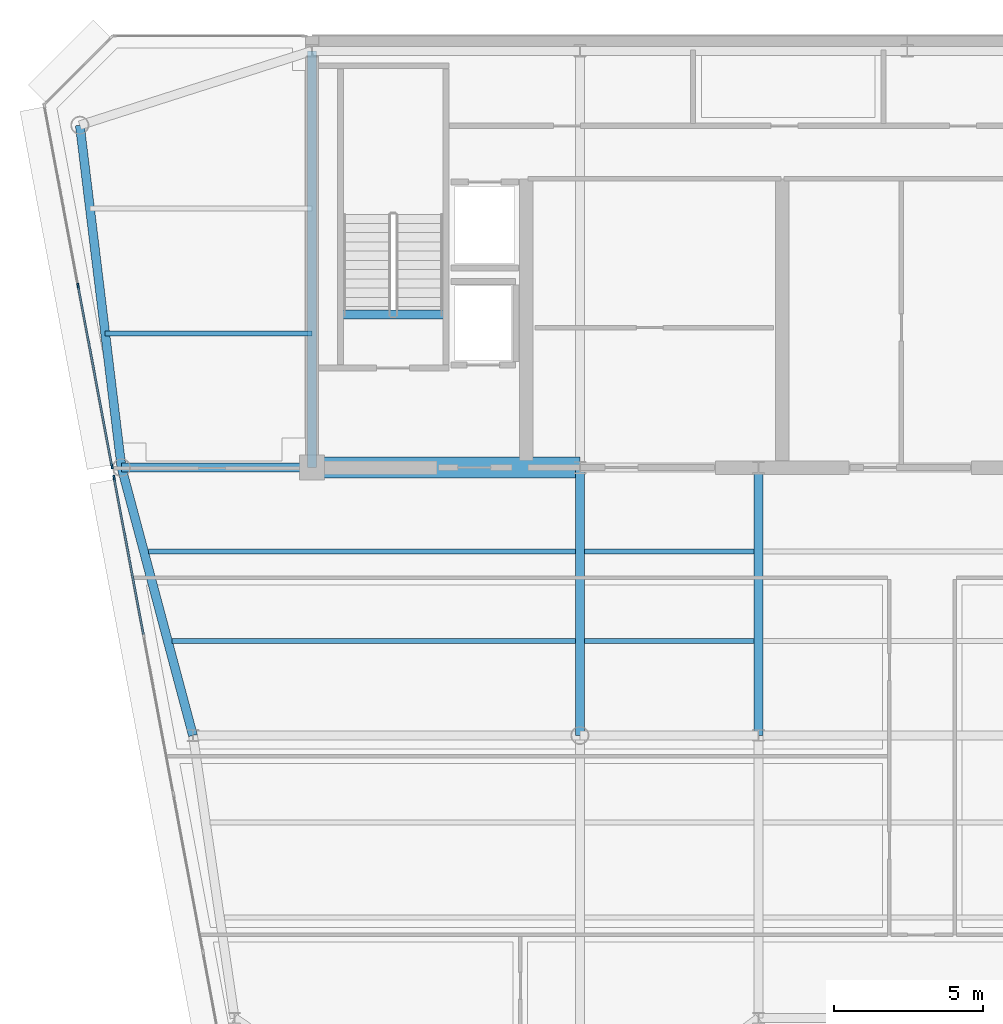
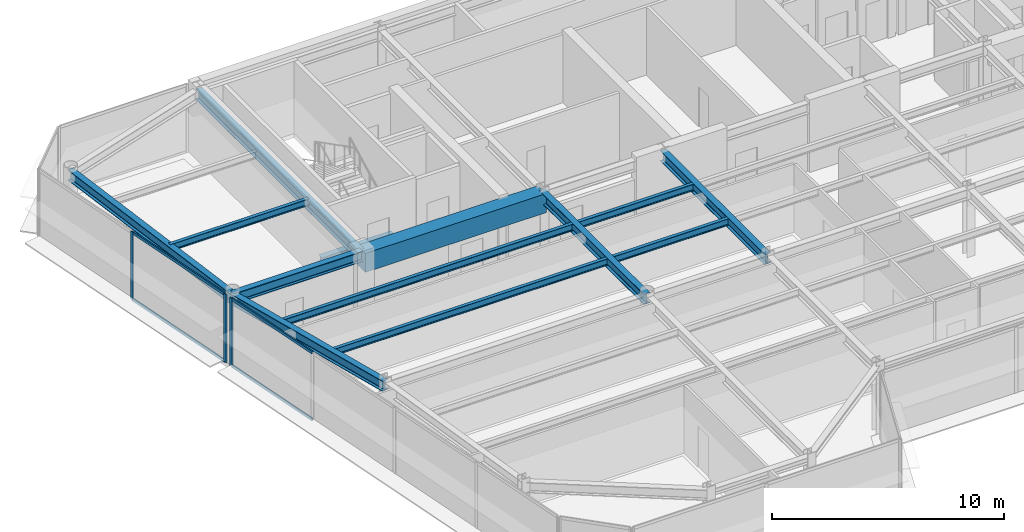
# One storey, part 4 of 19: 13 beams, 7 members, 2 elements without a shape of their own.
"""IFC4 building model written with IfcOpenShell, lengths in metres."""

from ifc_helpers import new_model, si_unit, direction, frame, origin, origin_2d, place, context, subcontext, project, spatial, rectangle, i_section, extrude, source, transform, mapped, material, layer, layer_set, material_profile, profile_set, type_object, element, aggregate, save


model = new_model("IFC4")

# Units and contexts
model_context = context("Model", 3, precision=1e-05, world=origin(), true_north=direction((0.0, 1.0)))
body_context = subcontext(model_context, "Body", "Model", "MODEL_VIEW")
ifc_project = project(units=[si_unit("LENGTHUNIT", "METRE"), si_unit("AREAUNIT", "SQUARE_METRE"), si_unit("VOLUMEUNIT", "CUBIC_METRE"), si_unit("PLANEANGLEUNIT", "RADIAN"), si_unit("MASSUNIT", "GRAM", prefix="KILO")], contexts=[model_context])

# Site, building, storey
site_placement = place(None, origin())
site = spatial("IfcSite", under=ifc_project, at=site_placement, CompositionType="ELEMENT")
building_placement = place(site_placement, origin())
building = spatial("IfcBuilding", under=site, at=building_placement, Name="Vaeldorn Concourse Tower", CompositionType="ELEMENT")
storey_placement = place(building_placement, frame((0.0, 0.0, 272.60009765625)))
storey = spatial("IfcBuildingStorey", under=building, at=storey_placement, Name="L70", CompositionType="ELEMENT", Elevation=272.60009765625)

# Beams
ifc_material_1 = material(Name="Concrete C50/60", Category="concrete")
ifc_material_profile_1 = material_profile(ifc_material_1, rectangle(XDim=0.699951171875, YDim=1.0, at=origin_2d()), Name="RC 700x1000")
ifc_profile_set_1 = profile_set([ifc_material_profile_1], Name="Concrete C50/60")
beam_type_1 = type_object("IfcBeamType", Name="BM-CB-RC700", PredefinedType="BEAM", material=ifc_profile_set_1)
shared_shape_1 = source(origin(), body_context, "Body", "SweptSolid", [
    extrude(rectangle(XDim=0.699951171875, YDim=1.0, at=origin_2d()), origin(), (0.0, 0.0, 1.0), 9.0),
])
beam_1_placement = place(storey_placement, frame((14.0, 36.5, 3.079833984375), z_axis=(1.0, 0.0, 0.0), x_axis=(0.0, 1.0, 0.0)))
element("IfcBeam", 1, at=beam_1_placement, inside=storey, type_object=beam_type_1, Name="Core Coupling Beam L70-1", PredefinedType="BEAM", context=body_context, shape_type="MappedRepresentation", body=[
    mapped(shared_shape_1, transform((0.0, 0.0, 0.0), scale=1.0)),
])
ifc_material_2 = material(Name="Steel S355", Category="steel")
ifc_material_profile_2 = material_profile(ifc_material_2, i_section(OverallWidth=0.300048828125, OverallDepth=0.340087890625, WebThickness=0.011962890625, FlangeThickness=0.021484375, FilletRadius=0.027099609375, at=origin_2d()), Name="HEB 340")
ifc_profile_set_2 = profile_set([ifc_material_profile_2], Name="Steel S355")
beam_type_2 = type_object("IfcBeamType", Name="BM-ST-TRIM", PredefinedType="BEAM", material=ifc_profile_set_2)
shared_shape_2 = source(origin(), body_context, "Body", "SweptSolid", [
    extrude(i_section(OverallWidth=0.300048828125, OverallDepth=0.340087890625, WebThickness=0.011962890625, FlangeThickness=0.021484375, FilletRadius=0.027099609375, at=origin_2d()), origin(), (0.0, 0.0, 1.0), 3.590087890625),
])
beam_2_placement = place(storey_placement, frame((14.929931640625, 41.639892578125, -0.39013671875), z_axis=(1.0, 0.0, 0.0), x_axis=(0.0, 1.0, 0.0)))
element("IfcBeam", 2, at=beam_2_placement, inside=storey, type_object=beam_type_2, Name="Stair Landing Trimmer Beam ST-1 L70", PredefinedType="BEAM", context=body_context, shape_type="MappedRepresentation", body=[
    mapped(shared_shape_2, transform((0.0, 0.0, 0.0), scale=1.0)),
])
ifc_material_profile_3 = material_profile(ifc_material_2, i_section(OverallWidth=0.300048828125, OverallDepth=0.550048828125, WebThickness=0.014892578125, FlangeThickness=0.029052734375, FilletRadius=0.027099609375, at=origin_2d()), Name="HEB 550")
ifc_profile_set_3 = profile_set([ifc_material_profile_3], Name="Steel S355")
beam_type_3 = type_object("IfcBeamType", Name="BM-PG-HEB550", PredefinedType="BEAM", material=ifc_profile_set_3)
shared_shape_3 = source(origin(), body_context, "Body", "SweptSolid", [
    extrude(i_section(OverallWidth=0.300048828125, OverallDepth=0.550048828125, WebThickness=0.014892578125, FlangeThickness=0.029052734375, FilletRadius=0.027099609375, at=origin_2d()), origin(), (0.0, 0.0, 1.0), 9.0),
])
for number, where, z_axis, x_axis, name in (
    (3, (23.0, 27.5, 3.304931640625), (0.0, 1.0, 0.0), (-1.0, 0.0, 0.0), "Beam BM-L70-C-TW1-C-FC2"),
    (4, (29.0, 27.5, 3.304931640625), (0.0, 1.0, 0.0), (-1.0, 0.0, 0.0), "Beam BM-L70-C-TW2-C-FC3"),
):
    element("IfcBeam", number, at=place(storey_placement, frame(where, z_axis=z_axis, x_axis=x_axis)), inside=storey, type_object=beam_type_3, Name=name, PredefinedType="BEAM", context=body_context, shape_type="MappedRepresentation", body=[
        mapped(shared_shape_3, transform((0.0, 0.0, 0.0), scale=1.0)),
    ])
shared_shape_4 = source(origin(), body_context, "Body", "SweptSolid", [
    extrude(i_section(OverallWidth=0.300048828125, OverallDepth=0.550048828125, WebThickness=0.014892578125, FlangeThickness=0.029052734375, FilletRadius=0.027099609375, at=origin_2d()), origin(), (0.0, 0.0, 1.0), 14.0),
])
beam_3_placement = place(storey_placement, frame((14.0, 36.5, 3.304931640625), z_axis=(0.0, 1.0, 0.0), x_axis=(-1.0, 0.0, 0.0)))
element("IfcBeam", 5, at=beam_3_placement, inside=storey, type_object=beam_type_3, Name="Beam BM-L70-C-FC1-C-HC1", PredefinedType="BEAM", context=body_context, shape_type="MappedRepresentation", body=[
    mapped(shared_shape_4, transform((0.0, 0.0, 0.0), scale=1.0)),
])
shared_shape_5 = source(origin(), body_context, "Body", "SweptSolid", [
    extrude(i_section(OverallWidth=0.300048828125, OverallDepth=0.550048828125, WebThickness=0.014892578125, FlangeThickness=0.029052734375, FilletRadius=0.027099609375, at=origin_2d()), origin(), (0.0, 0.0, 1.0), 11.5849609375),
])
beam_4_placement = place(storey_placement, frame((6.199951171875, 48.0, 3.304931640625), z_axis=(0.120859382899, -0.992669637677, 0.0), x_axis=(0.992669637677, 0.120859382899, 0.0)))
element("IfcBeam", 6, at=beam_4_placement, inside=storey, type_object=beam_type_3, Name="Beam BM-L70-C-NW1-C-NW2", PredefinedType="BEAM", context=body_context, shape_type="MappedRepresentation", body=[
    mapped(shared_shape_5, transform((0.0, 0.0, 0.0), scale=1.0)),
])
shared_shape_6 = source(origin(), body_context, "Body", "SweptSolid", [
    extrude(i_section(OverallWidth=0.300048828125, OverallDepth=0.550048828125, WebThickness=0.014892578125, FlangeThickness=0.029052734375, FilletRadius=0.027099609375, at=origin_2d()), origin(), (0.0, 0.0, 1.0), 6.39990234375),
])
beam_5_placement = place(storey_placement, frame((7.60009765625, 36.5, 3.304931640625), z_axis=(1.0, 0.0, 0.0), x_axis=(0.0, 1.0, 0.0)))
element("IfcBeam", 7, at=beam_5_placement, inside=storey, type_object=beam_type_3, Name="Beam BM-L70-C-NW2-C-FC1", PredefinedType="BEAM", context=body_context, shape_type="MappedRepresentation", body=[
    mapped(shared_shape_6, transform((0.0, 0.0, 0.0), scale=1.0)),
])
shared_shape_7 = source(origin(), body_context, "Body", "SweptSolid", [
    extrude(i_section(OverallWidth=0.300048828125, OverallDepth=0.550048828125, WebThickness=0.014892578125, FlangeThickness=0.029052734375, FilletRadius=0.027099609375, at=origin_2d()), origin(), (0.0, 0.0, 1.0), 9.314453125),
])
beam_6_placement = place(storey_placement, frame((7.60009765625, 36.5, 3.304931640625), z_axis=(0.257652862255, -0.966237549763, 0.0), x_axis=(0.966237549763, 0.257652862255, 0.0)))
element("IfcBeam", 8, at=beam_6_placement, inside=storey, type_object=beam_type_3, Name="Beam BM-L70-C-NW2-C-FLW1", PredefinedType="BEAM", context=body_context, shape_type="MappedRepresentation", body=[
    mapped(shared_shape_7, transform((0.0, 0.0, 0.0), scale=1.0)),
])
ifc_material_profile_4 = material_profile(ifc_material_2, i_section(OverallWidth=0.169921875, OverallDepth=0.360107421875, WebThickness=0.008056640625, FlangeThickness=0.0126953125, FilletRadius=0.01806640625, at=origin_2d()), Name="IPE 360")
ifc_profile_set_4 = profile_set([ifc_material_profile_4], Name="Steel S355")
beam_type_4 = type_object("IfcBeamType", Name="BM-JS-IPE360", PredefinedType="JOIST", material=ifc_profile_set_4)
shared_shape_8 = source(origin(), body_context, "Body", "SweptSolid", [
    extrude(i_section(OverallWidth=0.169921875, OverallDepth=0.360107421875, WebThickness=0.008056640625, FlangeThickness=0.0126953125, FilletRadius=0.01806640625, at=origin_2d()), origin(), (0.0, 0.0, 1.0), 6.94775390625),
])
beam_7_placement = place(storey_placement, frame((7.05224609375, 41.0, 3.39990234375), z_axis=(1.0, 0.0, 0.0), x_axis=(0.0, 1.0, 0.0)))
element("IfcBeam", 9, at=beam_7_placement, inside=storey, type_object=beam_type_4, Name="Beam JS-L70-NW-410", PredefinedType="JOIST", context=body_context, shape_type="MappedRepresentation", body=[
    mapped(shared_shape_8, transform((0.0, 0.0, 0.0), scale=1.0)),
])
shared_shape_9 = source(origin(), body_context, "Body", "SweptSolid", [
    extrude(i_section(OverallWidth=0.169921875, OverallDepth=0.360107421875, WebThickness=0.008056640625, FlangeThickness=0.0126953125, FilletRadius=0.01806640625, at=origin_2d()), origin(), (0.0, 0.0, 1.0), 5.7001953125),
])
for number, where, z_axis, x_axis, name in (
    (10, (23.14990234375, 30.679931640625, 3.39990234375), (1.0, 0.0, 0.0), (0.0, 1.0, 0.0), "Beam JS-L70-W2-306"),
    (11, (23.14990234375, 33.679931640625, 3.39990234375), (1.0, 0.0, 0.0), (0.0, 1.0, 0.0), "Beam JS-L70-W2-336"),
):
    element("IfcBeam", number, at=place(storey_placement, frame(where, z_axis=z_axis, x_axis=x_axis)), inside=storey, type_object=beam_type_4, Name=name, PredefinedType="JOIST", context=body_context, shape_type="MappedRepresentation", body=[
        mapped(shared_shape_9, transform((0.0, 0.0, 0.0), scale=1.0)),
    ])
shared_shape_10 = source(origin(), body_context, "Body", "SweptSolid", [
    extrude(i_section(OverallWidth=0.169921875, OverallDepth=0.360107421875, WebThickness=0.008056640625, FlangeThickness=0.0126953125, FilletRadius=0.01806640625, at=origin_2d()), origin(), (0.0, 0.0, 1.0), 13.548095703125),
])
beam_8_placement = place(storey_placement, frame((9.302001953125, 30.679931640625, 3.39990234375), z_axis=(1.0, 0.0, 0.0), x_axis=(0.0, 1.0, 0.0)))
element("IfcBeam", 12, at=beam_8_placement, inside=storey, type_object=beam_type_4, Name="Beam JS-L70-W1-306", PredefinedType="JOIST", context=body_context, shape_type="MappedRepresentation", body=[
    mapped(shared_shape_10, transform((0.0, 0.0, 0.0), scale=1.0)),
])
shared_shape_11 = source(origin(), body_context, "Body", "SweptSolid", [
    extrude(i_section(OverallWidth=0.169921875, OverallDepth=0.360107421875, WebThickness=0.008056640625, FlangeThickness=0.0126953125, FilletRadius=0.01806640625, at=origin_2d()), origin(), (0.0, 0.0, 1.0), 14.34814453125),
])
beam_9_placement = place(storey_placement, frame((8.501953125, 33.679931640625, 3.39990234375), z_axis=(1.0, 0.0, 0.0), x_axis=(0.0, 1.0, 0.0)))
element("IfcBeam", 13, at=beam_9_placement, inside=storey, type_object=beam_type_4, Name="Beam JS-L70-W1-336", PredefinedType="JOIST", context=body_context, shape_type="MappedRepresentation", body=[
    mapped(shared_shape_11, transform((0.0, 0.0, 0.0), scale=1.0)),
])

# Curtain wall, members
ifc_material_3 = material(Name="Anodised Bronze Aluminium", Category="aluminium")
ifc_layer = layer(ifc_material_3, 0.179931640625)
ifc_layer_set = layer_set([ifc_layer], Name="Anodised Bronze Aluminium")
curtain_wall_type = type_object("IfcCurtainWallType", Name="CW-SYS-05", PredefinedType="NOTDEFINED", material=ifc_layer_set)
curtain_wall_1_placement = place(storey_placement, origin())
curtain_wall_1 = element("IfcCurtainWall", 14, at=curtain_wall_1_placement, inside=storey, type_object=curtain_wall_type, Name="Unitised Curtain Wall CW-L70-E11-1", PredefinedType="NOTDEFINED")
ifc_material_profile_5 = material_profile(ifc_material_3, rectangle(XDim=0.06494140625, YDim=0.169921875, at=origin_2d()), Name="CWM 65x170")
ifc_profile_set_5 = profile_set([ifc_material_profile_5], Name="Anodised Bronze Aluminium")
member_type_1 = type_object("IfcMemberType", Name="CWM-BRONZE-170", PredefinedType="MULLION", material=ifc_profile_set_5)
shared_shape_12 = source(origin(), body_context, "Body", "SweptSolid", [
    extrude(rectangle(XDim=0.06494140625, YDim=0.169921875, at=origin_2d()), origin(), (0.0, 0.0, 1.0), 3.579833984375),
])
member_1_placement = place(storey_placement, frame((6.142578125, 42.605224609375, 0.0), z_axis=(0.0, 0.0, 1.0), x_axis=(0.982880218842, 0.184245693053, 0.0)))
member_1 = element("IfcMember", 15, at=member_1_placement, type_object=member_type_1, Name="CW-05 mullion 2", PredefinedType="MULLION", context=body_context, shape_type="MappedRepresentation", body=[
    mapped(shared_shape_12, transform((0.0, 0.0, 0.0), scale=1.0)),
])
member_2_placement = place(storey_placement, frame((7.279052734375, 36.542236328125, 0.0), z_axis=(0.0, 0.0, 1.0), x_axis=(0.982880218842, 0.184245693053, 0.0)))
member_2 = element("IfcMember", 16, at=member_2_placement, type_object=member_type_1, Name="CW-05 mullion 3", PredefinedType="MULLION", context=body_context, shape_type="MappedRepresentation", body=[
    mapped(shared_shape_12, transform((0.0, 0.0, 0.0), scale=1.0)),
])

curtain_wall_2_placement = place(storey_placement, origin())
curtain_wall_2 = element("IfcCurtainWall", 17, at=curtain_wall_2_placement, inside=storey, type_object=curtain_wall_type, Name="Unitised Curtain Wall CW-L70-E11-2", PredefinedType="NOTDEFINED")
member_3_placement = place(storey_placement, frame((7.35205078125, 36.153076171875, 0.0), z_axis=(0.0, 0.0, 1.0), x_axis=(0.982880027444, 0.184246714088, 0.0)))
member_3 = element("IfcMember", 18, at=member_3_placement, type_object=member_type_1, Name="CW-05 mullion 1", PredefinedType="MULLION", context=body_context, shape_type="MappedRepresentation", body=[
    mapped(shared_shape_12, transform((0.0, 0.0, 0.0), scale=1.0)),
])
ifc_material_profile_6 = material_profile(ifc_material_3, rectangle(XDim=0.06494140625, YDim=0.14990234375, at=origin_2d()), Name="CWT 65x150")
ifc_profile_set_6 = profile_set([ifc_material_profile_6], Name="Anodised Bronze Aluminium")
member_type_2 = type_object("IfcMemberType", Name="CWT-BRONZE-150", PredefinedType="USERDEFINED", material=ifc_profile_set_6)
shared_shape_13 = source(origin(), body_context, "Body", "SweptSolid", [
    extrude(rectangle(XDim=0.06494140625, YDim=0.14990234375, at=origin_2d()), origin(), (0.0, 0.0, 1.0), 5.31640625),
])
member_4_placement = place(storey_placement, frame((7.35791015625, 36.12109375, 0.032470703125), z_axis=(0.184241399207, -0.982881023735, 0.0), x_axis=(0.982881023735, 0.184241399207, 0.0)))
member_4 = element("IfcMember", 19, at=member_4_placement, type_object=member_type_2, Name="CW-05 transom 1.1", ObjectType="TRANSOM", PredefinedType="USERDEFINED", context=body_context, shape_type="MappedRepresentation", body=[
    mapped(shared_shape_13, transform((0.0, 0.0, 0.0), scale=1.0)),
])
member_5_placement = place(storey_placement, frame((7.35791015625, 36.12109375, 3.54736328125), z_axis=(0.184241399207, -0.982881023735, 0.0), x_axis=(0.982881023735, 0.184241399207, 0.0)))
member_5 = element("IfcMember", 20, at=member_5_placement, type_object=member_type_2, Name="CW-05 transom 1.2", ObjectType="TRANSOM", PredefinedType="USERDEFINED", context=body_context, shape_type="MappedRepresentation", body=[
    mapped(shared_shape_13, transform((0.0, 0.0, 0.0), scale=1.0)),
])
aggregate(curtain_wall_2, [member_3, member_4, member_5])

# Member
shared_shape_14 = source(origin(), body_context, "Body", "SweptSolid", [
    extrude(rectangle(XDim=0.06494140625, YDim=0.14990234375, at=origin_2d()), origin(), (0.0, 0.0, 1.0), 6.103515625),
])
member_6_placement = place(storey_placement, frame((6.1484375, 42.5732421875, 0.032470703125), z_axis=(0.18424023288, -0.982881242363, 0.0), x_axis=(0.982881242363, 0.18424023288, 0.0)))
member_6 = element("IfcMember", 21, at=member_6_placement, type_object=member_type_2, Name="CW-05 transom 2.1", ObjectType="TRANSOM", PredefinedType="USERDEFINED", context=body_context, shape_type="MappedRepresentation", body=[
    mapped(shared_shape_14, transform((0.0, 0.0, 0.0), scale=1.0)),
])

member_7_placement = place(storey_placement, frame((6.1484375, 42.5732421875, 3.54736328125), z_axis=(0.18424023288, -0.982881242363, 0.0), x_axis=(0.982881242363, 0.18424023288, 0.0)))
member_7 = element("IfcMember", 22, at=member_7_placement, type_object=member_type_2, Name="CW-05 transom 2.2", ObjectType="TRANSOM", PredefinedType="USERDEFINED", context=body_context, shape_type="MappedRepresentation", body=[
    mapped(shared_shape_14, transform((0.0, 0.0, 0.0), scale=1.0)),
])

aggregate(curtain_wall_1, [member_1, member_2, member_6, member_7])

save(model, "model.ifc")
